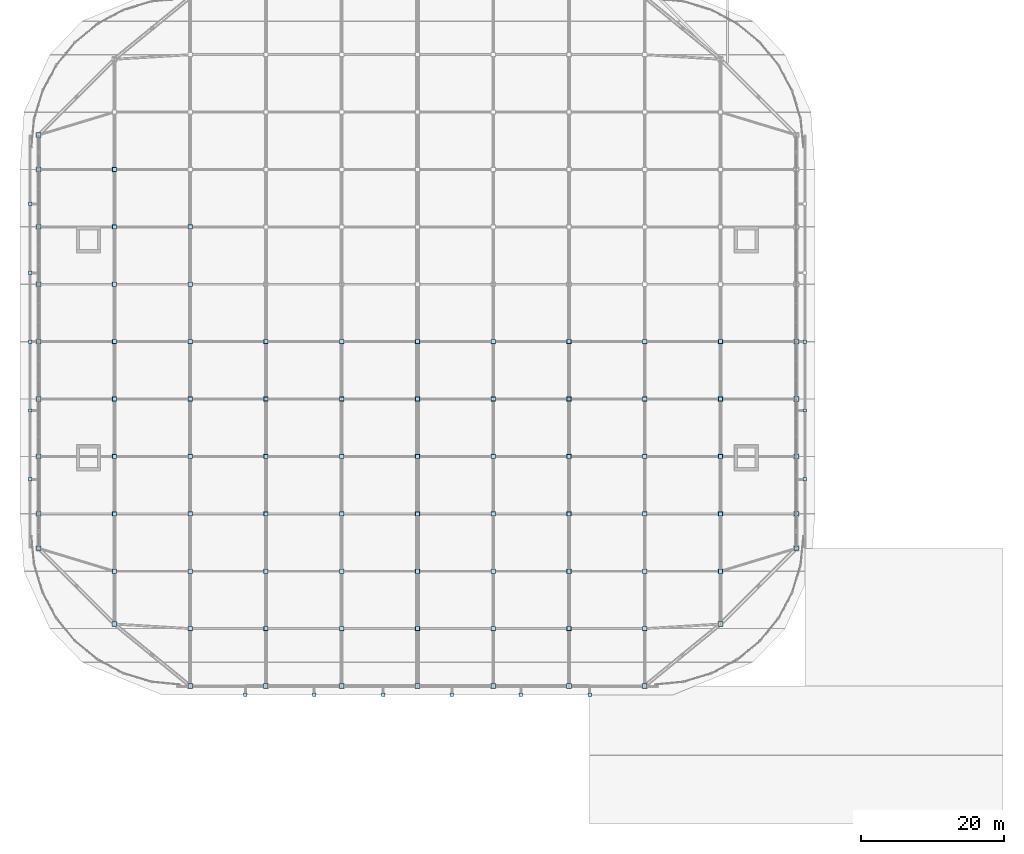
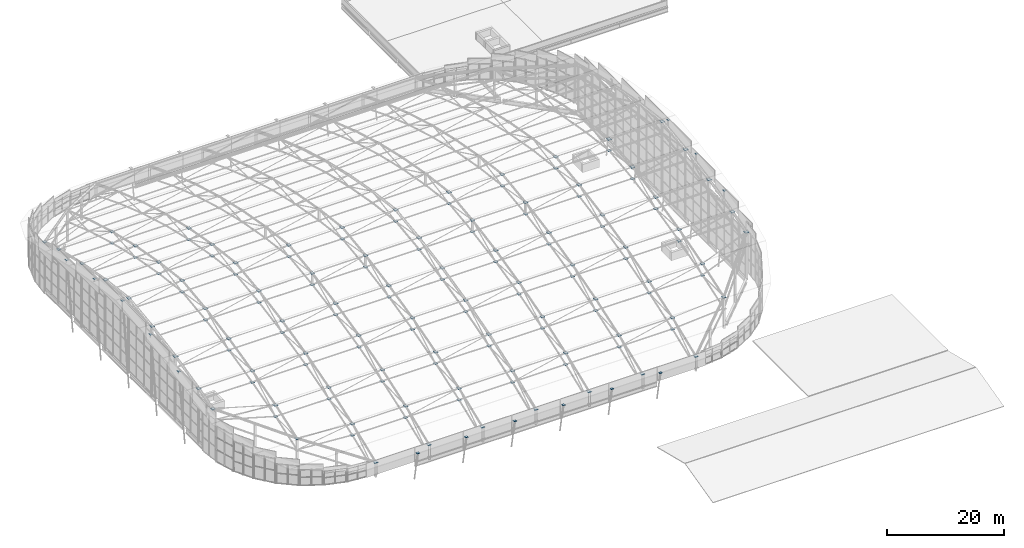
# One storey, part 39 of 42: 151 plates.
"""IFC4 building model written with IfcOpenShell, lengths in metres."""

from ifc_helpers import new_model, si_unit, direction, frame, origin, origin_2d, place, context, subcontext, project, spatial, rectangle, extrude, material, layer, layer_set, type_object, element, save


model = new_model("IFC4")

# Units and contexts
model_context = context("Model", 3, precision=1e-05, world=origin(), true_north=direction((0.0, 1.0)))
body_context = subcontext(model_context, "Body", "Model", "MODEL_VIEW")
ifc_project = project(units=[si_unit("LENGTHUNIT", "METRE"), si_unit("AREAUNIT", "SQUARE_METRE"), si_unit("VOLUMEUNIT", "CUBIC_METRE"), si_unit("PLANEANGLEUNIT", "RADIAN"), si_unit("MASSUNIT", "GRAM", prefix="KILO")], contexts=[model_context])

# Site, building, storey
site_placement = place(None, origin())
site = spatial("IfcSite", under=ifc_project, at=site_placement, CompositionType="ELEMENT")
building_placement = place(site_placement, origin())
building = spatial("IfcBuilding", under=site, at=building_placement, Name="Caelomonte Colonnade Arena", CompositionType="ELEMENT")
storey_placement = place(building_placement, frame((0.0, 0.0, 28.199951171875)))
storey = spatial("IfcBuildingStorey", under=building, at=storey_placement, Name="RF", CompositionType="ELEMENT", Elevation=28.199951171875)

# Plates
ifc_material = material(Name="Steel ASTM A572 Grade 50", Category="steel")
ifc_layer_1 = layer(ifc_material, 0.02490234375)
ifc_layer_set_1 = layer_set([ifc_layer_1], Name="Steel ASTM A572 Grade 50")
plate_type_1 = type_object("IfcPlateType", Name="STR-PL-PN01", PredefinedType="USERDEFINED", material=ifc_layer_set_1)
for number, where, z_axis, x_axis, name in (
    (1, (56.39990234375, 48.0, 11.7724609375), (0.0, 0.0, 1.0), (1.0, 0.0, 0.0), "Roof eaves overhang strut cap plate 1"),
    (2, (164.39990234375, 48.0, 11.7724609375), (0.0, 0.0, 1.0), (1.0, 0.0, 0.0), "Roof eaves overhang strut cap plate 2"),
    (3, (56.39990234375, 57.60009765625, 13.66748046875), (0.0, 0.0, 1.0), (1.0, 0.0, 0.0), "Roof eaves overhang strut cap plate 3"),
    (4, (164.39990234375, 57.60009765625, 13.66748046875), (0.0, 0.0, 1.0), (1.0, 0.0, 0.0), "Roof eaves overhang strut cap plate 4"),
    (5, (56.39990234375, 67.199951171875, 14.9375), (0.0, 0.0, 1.0), (1.0, 0.0, 0.0), "Roof eaves overhang strut cap plate 5"),
    (6, (164.39990234375, 67.199951171875, 14.9375), (0.0, 0.0, 1.0), (1.0, 0.0, 0.0), "Roof eaves overhang strut cap plate 6"),
    (7, (56.39990234375, 76.800048828125, 13.66748046875), (0.0, 0.0, 1.0), (1.0, 0.0, 0.0), "Roof eaves overhang strut cap plate 7"),
    (8, (56.39990234375, 86.39990234375, 11.7724609375), (0.0, 0.0, 1.0), (1.0, 0.0, 0.0), "Roof eaves overhang strut cap plate 9"),
    (9, (86.39990234375, 18.0, 2.337646484375), (0.0, 0.0, 1.0), (1.0, 0.0, 0.0), "Roof eaves overhang strut cap plate 11"),
    (10, (96.0, 18.0, 2.337646484375), (0.0, 0.0, 1.0), (1.0, 0.0, 0.0), "Roof eaves overhang strut cap plate 13"),
    (11, (105.60009765625, 18.0, 2.337646484375), (0.0, 0.0, 1.0), (1.0, 0.0, 0.0), "Roof eaves overhang strut cap plate 15"),
    (12, (115.199951171875, 18.0, 2.337646484375), (0.0, 0.0, 1.0), (1.0, 0.0, 0.0), "Roof eaves overhang strut cap plate 17"),
    (13, (124.800048828125, 18.0, 2.337646484375), (0.0, 0.0, 1.0), (1.0, 0.0, 0.0), "Roof eaves overhang strut cap plate 19"),
    (14, (134.39990234375, 18.0, 2.337646484375), (0.0, 0.0, 1.0), (1.0, 0.0, 0.0), "Roof eaves overhang strut cap plate 21"),
):
    element("IfcPlate", number, at=place(storey_placement, frame(where, z_axis=z_axis, x_axis=x_axis)), inside=storey, type_object=plate_type_1, Name=name, ObjectType="GUSSET PLATE", PredefinedType="USERDEFINED", context=body_context, shape_type="SweptSolid", body=[
        extrude(rectangle(XDim=0.47998046875, YDim=0.47998046875, at=origin_2d()), origin(), (0.0, 0.0, 1.0), 0.02490234375),
    ])
ifc_layer_2 = layer(ifc_material, 0.034912109375)
ifc_layer_set_2 = layer_set([ifc_layer_2], Name="Steel ASTM A572 Grade 50")
plate_type_2 = type_object("IfcPlateType", Name="STR-PL-SN02", PredefinedType="USERDEFINED", material=ifc_layer_set_2)
for number, where, z_axis, x_axis, name in (
    (15, (57.60009765625, 38.39990234375, 9.29736328125), (0.0, 0.0, 1.0), (1.0, 0.0, 0.0), "Space frame top node cap plate (0,2)"),
    (16, (57.60009765625, 43.199951171875, 10.6357421875), (0.0, 0.0, 1.0), (1.0, 0.0, 0.0), "Space frame top node cap plate (0,3)"),
    (17, (57.60009765625, 51.199951171875, 12.5185546875), (0.0, 0.0, 1.0), (1.0, 0.0, 0.0), "Space frame top node cap plate (0,4)"),
    (18, (57.60009765625, 59.199951171875, 13.9677734375), (0.0, 0.0, 1.0), (1.0, 0.0, 0.0), "Space frame top node cap plate (0,5)"),
    (19, (57.60009765625, 67.199951171875, 14.982421875), (0.0, 0.0, 1.0), (1.0, 0.0, 0.0), "Space frame top node cap plate (0,6)"),
    (20, (57.60009765625, 75.199951171875, 13.9677734375), (0.0, 0.0, 1.0), (1.0, 0.0, 0.0), "Space frame top node cap plate (0,7)"),
    (21, (57.60009765625, 83.199951171875, 12.5185546875), (0.0, 0.0, 1.0), (1.0, 0.0, 0.0), "Space frame top node cap plate (0,8)"),
    (22, (57.60009765625, 91.199951171875, 10.6357421875), (0.0, 0.0, 1.0), (1.0, 0.0, 0.0), "Space frame top node cap plate (0,9)"),
    (23, (57.60009765625, 96.0, 9.29736328125), (0.0, 0.0, 1.0), (1.0, 0.0, 0.0), "Space frame top node cap plate (0,10)"),
    (24, (68.159912109375, 27.840087890625, 5.8037109375), (0.0, 0.0, 1.0), (1.0, 0.0, 0.0), "Space frame top node cap plate (1,1)"),
    (25, (68.159912109375, 35.199951171875, 8.318359375), (0.0, 0.0, 1.0), (1.0, 0.0, 0.0), "Space frame top node cap plate (1,2)"),
    (26, (68.159912109375, 43.199951171875, 10.6357421875), (0.0, 0.0, 1.0), (1.0, 0.0, 0.0), "Space frame top node cap plate (1,3)"),
    (27, (68.159912109375, 51.199951171875, 12.5185546875), (0.0, 0.0, 1.0), (1.0, 0.0, 0.0), "Space frame top node cap plate (1,4)"),
    (28, (68.159912109375, 59.199951171875, 13.9677734375), (0.0, 0.0, 1.0), (1.0, 0.0, 0.0), "Space frame top node cap plate (1,5)"),
    (29, (68.159912109375, 67.199951171875, 14.982421875), (0.0, 0.0, 1.0), (1.0, 0.0, 0.0), "Space frame top node cap plate (1,6)"),
    (30, (68.159912109375, 75.199951171875, 13.9677734375), (0.0, 0.0, 1.0), (1.0, 0.0, 0.0), "Space frame top node cap plate (1,7)"),
    (31, (68.159912109375, 83.199951171875, 12.5185546875), (0.0, 0.0, 1.0), (1.0, 0.0, 0.0), "Space frame top node cap plate (1,8)"),
    (32, (68.159912109375, 91.199951171875, 10.6357421875), (0.0, 0.0, 1.0), (1.0, 0.0, 0.0), "Space frame top node cap plate (1,9)"),
    (33, (78.719970703125, 19.199951171875, 2.3828125), (0.0, 0.0, 1.0), (1.0, 0.0, 0.0), "Space frame top node cap plate (2,0)"),
    (34, (78.719970703125, 27.199951171875, 5.5673828125), (0.0, 0.0, 1.0), (1.0, 0.0, 0.0), "Space frame top node cap plate (2,1)"),
    (35, (78.719970703125, 35.199951171875, 8.318359375), (0.0, 0.0, 1.0), (1.0, 0.0, 0.0), "Space frame top node cap plate (2,2)"),
    (36, (78.719970703125, 43.199951171875, 10.6357421875), (0.0, 0.0, 1.0), (1.0, 0.0, 0.0), "Space frame top node cap plate (2,3)"),
    (37, (78.719970703125, 51.199951171875, 12.5185546875), (0.0, 0.0, 1.0), (1.0, 0.0, 0.0), "Space frame top node cap plate (2,4)"),
    (38, (78.719970703125, 59.199951171875, 13.9677734375), (0.0, 0.0, 1.0), (1.0, 0.0, 0.0), "Space frame top node cap plate (2,5)"),
    (39, (78.719970703125, 67.199951171875, 14.982421875), (0.0, 0.0, 1.0), (1.0, 0.0, 0.0), "Space frame top node cap plate (2,6)"),
    (40, (78.719970703125, 75.199951171875, 13.9677734375), (0.0, 0.0, 1.0), (1.0, 0.0, 0.0), "Space frame top node cap plate (2,7)"),
    (41, (78.719970703125, 83.199951171875, 12.5185546875), (0.0, 0.0, 1.0), (1.0, 0.0, 0.0), "Space frame top node cap plate (2,8)"),
    (42, (89.280029296875, 19.199951171875, 2.3828125), (0.0, 0.0, 1.0), (1.0, 0.0, 0.0), "Space frame top node cap plate (3,0)"),
    (43, (89.280029296875, 27.199951171875, 5.5673828125), (0.0, 0.0, 1.0), (1.0, 0.0, 0.0), "Space frame top node cap plate (3,1)"),
    (44, (89.280029296875, 35.199951171875, 8.318359375), (0.0, 0.0, 1.0), (1.0, 0.0, 0.0), "Space frame top node cap plate (3,2)"),
    (45, (89.280029296875, 43.199951171875, 10.6357421875), (0.0, 0.0, 1.0), (1.0, 0.0, 0.0), "Space frame top node cap plate (3,3)"),
    (46, (89.280029296875, 51.199951171875, 12.5185546875), (0.0, 0.0, 1.0), (1.0, 0.0, 0.0), "Space frame top node cap plate (3,4)"),
    (47, (89.280029296875, 59.199951171875, 13.9677734375), (0.0, 0.0, 1.0), (1.0, 0.0, 0.0), "Space frame top node cap plate (3,5)"),
    (48, (89.280029296875, 67.199951171875, 14.982421875), (0.0, 0.0, 1.0), (1.0, 0.0, 0.0), "Space frame top node cap plate (3,6)"),
    (49, (99.840087890625, 19.199951171875, 2.3828125), (0.0, 0.0, 1.0), (1.0, 0.0, 0.0), "Space frame top node cap plate (4,0)"),
    (50, (99.840087890625, 27.199951171875, 5.5673828125), (0.0, 0.0, 1.0), (1.0, 0.0, 0.0), "Space frame top node cap plate (4,1)"),
    (51, (99.840087890625, 35.199951171875, 8.318359375), (0.0, 0.0, 1.0), (1.0, 0.0, 0.0), "Space frame top node cap plate (4,2)"),
    (52, (99.840087890625, 43.199951171875, 10.6357421875), (0.0, 0.0, 1.0), (1.0, 0.0, 0.0), "Space frame top node cap plate (4,3)"),
    (53, (99.840087890625, 51.199951171875, 12.5185546875), (0.0, 0.0, 1.0), (1.0, 0.0, 0.0), "Space frame top node cap plate (4,4)"),
    (54, (99.840087890625, 59.199951171875, 13.9677734375), (0.0, 0.0, 1.0), (1.0, 0.0, 0.0), "Space frame top node cap plate (4,5)"),
    (55, (99.840087890625, 67.199951171875, 14.982421875), (0.0, 0.0, 1.0), (1.0, 0.0, 0.0), "Space frame top node cap plate (4,6)"),
    (56, (110.39990234375, 19.199951171875, 2.3828125), (0.0, 0.0, 1.0), (1.0, 0.0, 0.0), "Space frame top node cap plate (5,0)"),
    (57, (110.39990234375, 27.199951171875, 5.5673828125), (0.0, 0.0, 1.0), (1.0, 0.0, 0.0), "Space frame top node cap plate (5,1)"),
    (58, (110.39990234375, 35.199951171875, 8.318359375), (0.0, 0.0, 1.0), (1.0, 0.0, 0.0), "Space frame top node cap plate (5,2)"),
    (59, (110.39990234375, 43.199951171875, 10.6357421875), (0.0, 0.0, 1.0), (1.0, 0.0, 0.0), "Space frame top node cap plate (5,3)"),
    (60, (110.39990234375, 51.199951171875, 12.5185546875), (0.0, 0.0, 1.0), (1.0, 0.0, 0.0), "Space frame top node cap plate (5,4)"),
    (61, (110.39990234375, 59.199951171875, 13.9677734375), (0.0, 0.0, 1.0), (1.0, 0.0, 0.0), "Space frame top node cap plate (5,5)"),
    (62, (110.39990234375, 67.199951171875, 14.982421875), (0.0, 0.0, 1.0), (1.0, 0.0, 0.0), "Space frame top node cap plate (5,6)"),
    (63, (120.9599609375, 19.199951171875, 2.3828125), (0.0, 0.0, 1.0), (1.0, 0.0, 0.0), "Space frame top node cap plate (6,0)"),
    (64, (120.9599609375, 27.199951171875, 5.5673828125), (0.0, 0.0, 1.0), (1.0, 0.0, 0.0), "Space frame top node cap plate (6,1)"),
    (65, (120.9599609375, 35.199951171875, 8.318359375), (0.0, 0.0, 1.0), (1.0, 0.0, 0.0), "Space frame top node cap plate (6,2)"),
    (66, (120.9599609375, 43.199951171875, 10.6357421875), (0.0, 0.0, 1.0), (1.0, 0.0, 0.0), "Space frame top node cap plate (6,3)"),
    (67, (120.9599609375, 51.199951171875, 12.5185546875), (0.0, 0.0, 1.0), (1.0, 0.0, 0.0), "Space frame top node cap plate (6,4)"),
    (68, (120.9599609375, 59.199951171875, 13.9677734375), (0.0, 0.0, 1.0), (1.0, 0.0, 0.0), "Space frame top node cap plate (6,5)"),
    (69, (120.9599609375, 67.199951171875, 14.982421875), (0.0, 0.0, 1.0), (1.0, 0.0, 0.0), "Space frame top node cap plate (6,6)"),
    (70, (131.52001953125, 19.199951171875, 2.3828125), (0.0, 0.0, 1.0), (1.0, 0.0, 0.0), "Space frame top node cap plate (7,0)"),
    (71, (131.52001953125, 27.199951171875, 5.5673828125), (0.0, 0.0, 1.0), (1.0, 0.0, 0.0), "Space frame top node cap plate (7,1)"),
    (72, (131.52001953125, 35.199951171875, 8.318359375), (0.0, 0.0, 1.0), (1.0, 0.0, 0.0), "Space frame top node cap plate (7,2)"),
    (73, (131.52001953125, 43.199951171875, 10.6357421875), (0.0, 0.0, 1.0), (1.0, 0.0, 0.0), "Space frame top node cap plate (7,3)"),
    (74, (131.52001953125, 51.199951171875, 12.5185546875), (0.0, 0.0, 1.0), (1.0, 0.0, 0.0), "Space frame top node cap plate (7,4)"),
    (75, (131.52001953125, 59.199951171875, 13.9677734375), (0.0, 0.0, 1.0), (1.0, 0.0, 0.0), "Space frame top node cap plate (7,5)"),
    (76, (131.52001953125, 67.199951171875, 14.982421875), (0.0, 0.0, 1.0), (1.0, 0.0, 0.0), "Space frame top node cap plate (7,6)"),
    (77, (142.080078125, 19.199951171875, 2.3828125), (0.0, 0.0, 1.0), (1.0, 0.0, 0.0), "Space frame top node cap plate (8,0)"),
    (78, (142.080078125, 27.199951171875, 5.5673828125), (0.0, 0.0, 1.0), (1.0, 0.0, 0.0), "Space frame top node cap plate (8,1)"),
    (79, (142.080078125, 35.199951171875, 8.318359375), (0.0, 0.0, 1.0), (1.0, 0.0, 0.0), "Space frame top node cap plate (8,2)"),
    (80, (142.080078125, 43.199951171875, 10.6357421875), (0.0, 0.0, 1.0), (1.0, 0.0, 0.0), "Space frame top node cap plate (8,3)"),
    (81, (142.080078125, 51.199951171875, 12.5185546875), (0.0, 0.0, 1.0), (1.0, 0.0, 0.0), "Space frame top node cap plate (8,4)"),
    (82, (142.080078125, 59.199951171875, 13.9677734375), (0.0, 0.0, 1.0), (1.0, 0.0, 0.0), "Space frame top node cap plate (8,5)"),
    (83, (142.080078125, 67.199951171875, 14.982421875), (0.0, 0.0, 1.0), (1.0, 0.0, 0.0), "Space frame top node cap plate (8,6)"),
    (84, (152.639892578125, 27.840087890625, 5.8037109375), (0.0, 0.0, 1.0), (1.0, 0.0, 0.0), "Space frame top node cap plate (9,1)"),
    (85, (152.639892578125, 35.199951171875, 8.318359375), (0.0, 0.0, 1.0), (1.0, 0.0, 0.0), "Space frame top node cap plate (9,2)"),
    (86, (152.639892578125, 43.199951171875, 10.6357421875), (0.0, 0.0, 1.0), (1.0, 0.0, 0.0), "Space frame top node cap plate (9,3)"),
    (87, (152.639892578125, 51.199951171875, 12.5185546875), (0.0, 0.0, 1.0), (1.0, 0.0, 0.0), "Space frame top node cap plate (9,4)"),
    (88, (152.639892578125, 59.199951171875, 13.9677734375), (0.0, 0.0, 1.0), (1.0, 0.0, 0.0), "Space frame top node cap plate (9,5)"),
    (89, (152.639892578125, 67.199951171875, 14.982421875), (0.0, 0.0, 1.0), (1.0, 0.0, 0.0), "Space frame top node cap plate (9,6)"),
    (90, (163.199951171875, 38.39990234375, 9.29736328125), (0.0, 0.0, 1.0), (1.0, 0.0, 0.0), "Space frame top node cap plate (10,2)"),
    (91, (163.199951171875, 43.199951171875, 10.6357421875), (0.0, 0.0, 1.0), (1.0, 0.0, 0.0), "Space frame top node cap plate (10,3)"),
    (92, (163.199951171875, 51.199951171875, 12.5185546875), (0.0, 0.0, 1.0), (1.0, 0.0, 0.0), "Space frame top node cap plate (10,4)"),
    (93, (163.199951171875, 59.199951171875, 13.9677734375), (0.0, 0.0, 1.0), (1.0, 0.0, 0.0), "Space frame top node cap plate (10,5)"),
    (94, (163.199951171875, 67.199951171875, 14.982421875), (0.0, 0.0, 1.0), (1.0, 0.0, 0.0), "Space frame top node cap plate (10,6)"),
):
    element("IfcPlate", number, at=place(storey_placement, frame(where, z_axis=z_axis, x_axis=x_axis)), inside=storey, type_object=plate_type_2, Name=name, ObjectType="NODE CAP PLATE", PredefinedType="USERDEFINED", context=body_context, shape_type="SweptSolid", body=[
        extrude(rectangle(XDim=0.639892578125, YDim=0.639892578125, at=origin_2d()), origin(), (0.0, 0.0, 1.0), 0.034912109375),
    ])
ifc_layer_3 = layer(ifc_material, 0.030029296875)
ifc_layer_set_3 = layer_set([ifc_layer_3], Name="Steel ASTM A572 Grade 50")
plate_type_3 = type_object("IfcPlateType", Name="STR-PL-SN03", PredefinedType="USERDEFINED", material=ifc_layer_set_3)
for number, where, z_axis, x_axis, name in (
    (95, (68.159912109375, 35.199951171875, 5.9208984375), (0.0, 0.0, 1.0), (1.0, 0.0, 0.0), "Space frame bottom node cap plate (1,2)"),
    (96, (68.159912109375, 43.199951171875, 8.23779296875), (0.0, 0.0, 1.0), (1.0, 0.0, 0.0), "Space frame bottom node cap plate (1,3)"),
    (97, (68.159912109375, 51.199951171875, 10.12109375), (0.0, 0.0, 1.0), (1.0, 0.0, 0.0), "Space frame bottom node cap plate (1,4)"),
    (98, (68.159912109375, 59.199951171875, 11.56982421875), (0.0, 0.0, 1.0), (1.0, 0.0, 0.0), "Space frame bottom node cap plate (1,5)"),
    (99, (68.159912109375, 67.199951171875, 12.5849609375), (0.0, 0.0, 1.0), (1.0, 0.0, 0.0), "Space frame bottom node cap plate (1,6)"),
    (100, (68.159912109375, 75.199951171875, 11.56982421875), (0.0, 0.0, 1.0), (1.0, 0.0, 0.0), "Space frame bottom node cap plate (1,7)"),
    (101, (68.159912109375, 83.199951171875, 10.12109375), (0.0, 0.0, 1.0), (1.0, 0.0, 0.0), "Space frame bottom node cap plate (1,8)"),
    (102, (68.159912109375, 91.199951171875, 8.23779296875), (0.0, 0.0, 1.0), (1.0, 0.0, 0.0), "Space frame bottom node cap plate (1,9)"),
    (103, (78.719970703125, 27.199951171875, 3.169921875), (0.0, 0.0, 1.0), (1.0, 0.0, 0.0), "Space frame bottom node cap plate (2,1)"),
    (104, (78.719970703125, 35.199951171875, 5.9208984375), (0.0, 0.0, 1.0), (1.0, 0.0, 0.0), "Space frame bottom node cap plate (2,2)"),
    (105, (78.719970703125, 43.199951171875, 8.23779296875), (0.0, 0.0, 1.0), (1.0, 0.0, 0.0), "Space frame bottom node cap plate (2,3)"),
    (106, (78.719970703125, 51.199951171875, 10.12109375), (0.0, 0.0, 1.0), (1.0, 0.0, 0.0), "Space frame bottom node cap plate (2,4)"),
    (107, (78.719970703125, 59.199951171875, 11.56982421875), (0.0, 0.0, 1.0), (1.0, 0.0, 0.0), "Space frame bottom node cap plate (2,5)"),
    (108, (78.719970703125, 67.199951171875, 12.5849609375), (0.0, 0.0, 1.0), (1.0, 0.0, 0.0), "Space frame bottom node cap plate (2,6)"),
    (109, (78.719970703125, 75.199951171875, 11.56982421875), (0.0, 0.0, 1.0), (1.0, 0.0, 0.0), "Space frame bottom node cap plate (2,7)"),
    (110, (78.719970703125, 83.199951171875, 10.12109375), (0.0, 0.0, 1.0), (1.0, 0.0, 0.0), "Space frame bottom node cap plate (2,8)"),
    (111, (89.280029296875, 27.199951171875, 3.169921875), (0.0, 0.0, 1.0), (1.0, 0.0, 0.0), "Space frame bottom node cap plate (3,1)"),
    (112, (89.280029296875, 35.199951171875, 5.9208984375), (0.0, 0.0, 1.0), (1.0, 0.0, 0.0), "Space frame bottom node cap plate (3,2)"),
    (113, (89.280029296875, 43.199951171875, 8.23779296875), (0.0, 0.0, 1.0), (1.0, 0.0, 0.0), "Space frame bottom node cap plate (3,3)"),
    (114, (89.280029296875, 51.199951171875, 10.12109375), (0.0, 0.0, 1.0), (1.0, 0.0, 0.0), "Space frame bottom node cap plate (3,4)"),
    (115, (89.280029296875, 59.199951171875, 11.56982421875), (0.0, 0.0, 1.0), (1.0, 0.0, 0.0), "Space frame bottom node cap plate (3,5)"),
    (116, (89.280029296875, 67.199951171875, 12.5849609375), (0.0, 0.0, 1.0), (1.0, 0.0, 0.0), "Space frame bottom node cap plate (3,6)"),
    (117, (99.840087890625, 27.199951171875, 3.169921875), (0.0, 0.0, 1.0), (1.0, 0.0, 0.0), "Space frame bottom node cap plate (4,1)"),
    (118, (99.840087890625, 35.199951171875, 5.9208984375), (0.0, 0.0, 1.0), (1.0, 0.0, 0.0), "Space frame bottom node cap plate (4,2)"),
    (119, (99.840087890625, 43.199951171875, 8.23779296875), (0.0, 0.0, 1.0), (1.0, 0.0, 0.0), "Space frame bottom node cap plate (4,3)"),
    (120, (99.840087890625, 51.199951171875, 10.12109375), (0.0, 0.0, 1.0), (1.0, 0.0, 0.0), "Space frame bottom node cap plate (4,4)"),
    (121, (99.840087890625, 59.199951171875, 11.56982421875), (0.0, 0.0, 1.0), (1.0, 0.0, 0.0), "Space frame bottom node cap plate (4,5)"),
    (122, (99.840087890625, 67.199951171875, 12.5849609375), (0.0, 0.0, 1.0), (1.0, 0.0, 0.0), "Space frame bottom node cap plate (4,6)"),
    (123, (110.39990234375, 27.199951171875, 3.169921875), (0.0, 0.0, 1.0), (1.0, 0.0, 0.0), "Space frame bottom node cap plate (5,1)"),
    (124, (110.39990234375, 35.199951171875, 5.9208984375), (0.0, 0.0, 1.0), (1.0, 0.0, 0.0), "Space frame bottom node cap plate (5,2)"),
    (125, (110.39990234375, 43.199951171875, 8.23779296875), (0.0, 0.0, 1.0), (1.0, 0.0, 0.0), "Space frame bottom node cap plate (5,3)"),
    (126, (110.39990234375, 51.199951171875, 10.12109375), (0.0, 0.0, 1.0), (1.0, 0.0, 0.0), "Space frame bottom node cap plate (5,4)"),
    (127, (110.39990234375, 59.199951171875, 11.56982421875), (0.0, 0.0, 1.0), (1.0, 0.0, 0.0), "Space frame bottom node cap plate (5,5)"),
    (128, (110.39990234375, 67.199951171875, 12.5849609375), (0.0, 0.0, 1.0), (1.0, 0.0, 0.0), "Space frame bottom node cap plate (5,6)"),
    (129, (120.9599609375, 27.199951171875, 3.169921875), (0.0, 0.0, 1.0), (1.0, 0.0, 0.0), "Space frame bottom node cap plate (6,1)"),
    (130, (120.9599609375, 35.199951171875, 5.9208984375), (0.0, 0.0, 1.0), (1.0, 0.0, 0.0), "Space frame bottom node cap plate (6,2)"),
    (131, (120.9599609375, 43.199951171875, 8.23779296875), (0.0, 0.0, 1.0), (1.0, 0.0, 0.0), "Space frame bottom node cap plate (6,3)"),
    (132, (120.9599609375, 51.199951171875, 10.12109375), (0.0, 0.0, 1.0), (1.0, 0.0, 0.0), "Space frame bottom node cap plate (6,4)"),
    (133, (120.9599609375, 59.199951171875, 11.56982421875), (0.0, 0.0, 1.0), (1.0, 0.0, 0.0), "Space frame bottom node cap plate (6,5)"),
    (134, (120.9599609375, 67.199951171875, 12.5849609375), (0.0, 0.0, 1.0), (1.0, 0.0, 0.0), "Space frame bottom node cap plate (6,6)"),
    (135, (131.52001953125, 27.199951171875, 3.169921875), (0.0, 0.0, 1.0), (1.0, 0.0, 0.0), "Space frame bottom node cap plate (7,1)"),
    (136, (131.52001953125, 35.199951171875, 5.9208984375), (0.0, 0.0, 1.0), (1.0, 0.0, 0.0), "Space frame bottom node cap plate (7,2)"),
    (137, (131.52001953125, 43.199951171875, 8.23779296875), (0.0, 0.0, 1.0), (1.0, 0.0, 0.0), "Space frame bottom node cap plate (7,3)"),
    (138, (131.52001953125, 51.199951171875, 10.12109375), (0.0, 0.0, 1.0), (1.0, 0.0, 0.0), "Space frame bottom node cap plate (7,4)"),
    (139, (131.52001953125, 59.199951171875, 11.56982421875), (0.0, 0.0, 1.0), (1.0, 0.0, 0.0), "Space frame bottom node cap plate (7,5)"),
    (140, (131.52001953125, 67.199951171875, 12.5849609375), (0.0, 0.0, 1.0), (1.0, 0.0, 0.0), "Space frame bottom node cap plate (7,6)"),
    (141, (142.080078125, 27.199951171875, 3.169921875), (0.0, 0.0, 1.0), (1.0, 0.0, 0.0), "Space frame bottom node cap plate (8,1)"),
    (142, (142.080078125, 35.199951171875, 5.9208984375), (0.0, 0.0, 1.0), (1.0, 0.0, 0.0), "Space frame bottom node cap plate (8,2)"),
    (143, (142.080078125, 43.199951171875, 8.23779296875), (0.0, 0.0, 1.0), (1.0, 0.0, 0.0), "Space frame bottom node cap plate (8,3)"),
    (144, (142.080078125, 51.199951171875, 10.12109375), (0.0, 0.0, 1.0), (1.0, 0.0, 0.0), "Space frame bottom node cap plate (8,4)"),
    (145, (142.080078125, 59.199951171875, 11.56982421875), (0.0, 0.0, 1.0), (1.0, 0.0, 0.0), "Space frame bottom node cap plate (8,5)"),
    (146, (142.080078125, 67.199951171875, 12.5849609375), (0.0, 0.0, 1.0), (1.0, 0.0, 0.0), "Space frame bottom node cap plate (8,6)"),
    (147, (152.639892578125, 35.199951171875, 5.9208984375), (0.0, 0.0, 1.0), (1.0, 0.0, 0.0), "Space frame bottom node cap plate (9,2)"),
    (148, (152.639892578125, 43.199951171875, 8.23779296875), (0.0, 0.0, 1.0), (1.0, 0.0, 0.0), "Space frame bottom node cap plate (9,3)"),
    (149, (152.639892578125, 51.199951171875, 10.12109375), (0.0, 0.0, 1.0), (1.0, 0.0, 0.0), "Space frame bottom node cap plate (9,4)"),
    (150, (152.639892578125, 59.199951171875, 11.56982421875), (0.0, 0.0, 1.0), (1.0, 0.0, 0.0), "Space frame bottom node cap plate (9,5)"),
    (151, (152.639892578125, 67.199951171875, 12.5849609375), (0.0, 0.0, 1.0), (1.0, 0.0, 0.0), "Space frame bottom node cap plate (9,6)"),
):
    element("IfcPlate", number, at=place(storey_placement, frame(where, z_axis=z_axis, x_axis=x_axis)), inside=storey, type_object=plate_type_3, Name=name, ObjectType="NODE CAP PLATE", PredefinedType="USERDEFINED", context=body_context, shape_type="SweptSolid", body=[
        extrude(rectangle(XDim=0.580078125, YDim=0.580078125, at=origin_2d()), origin(), (0.0, 0.0, 1.0), 0.030029296875),
    ])

save(model, "model.ifc")
